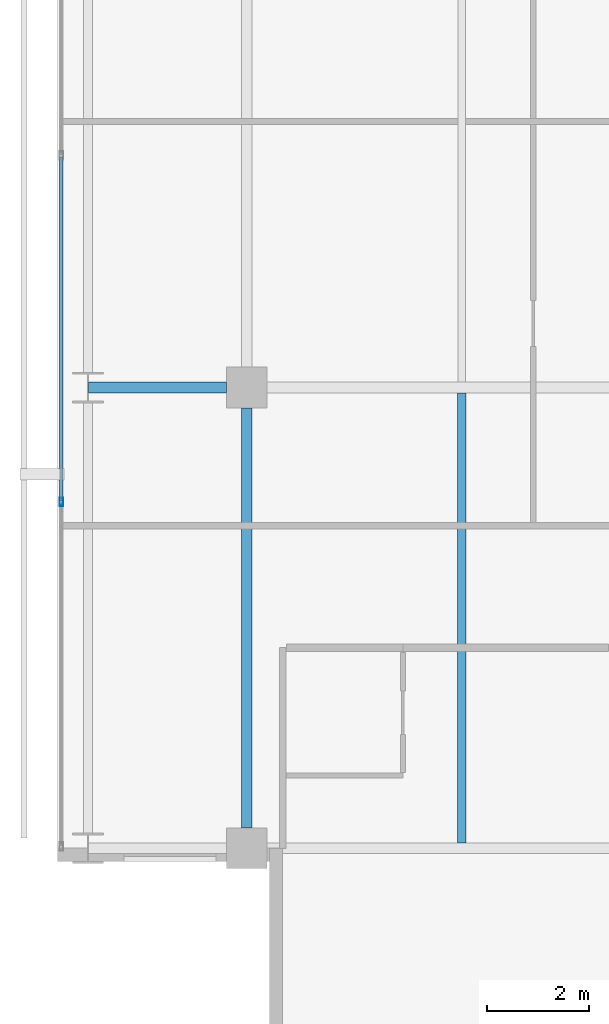
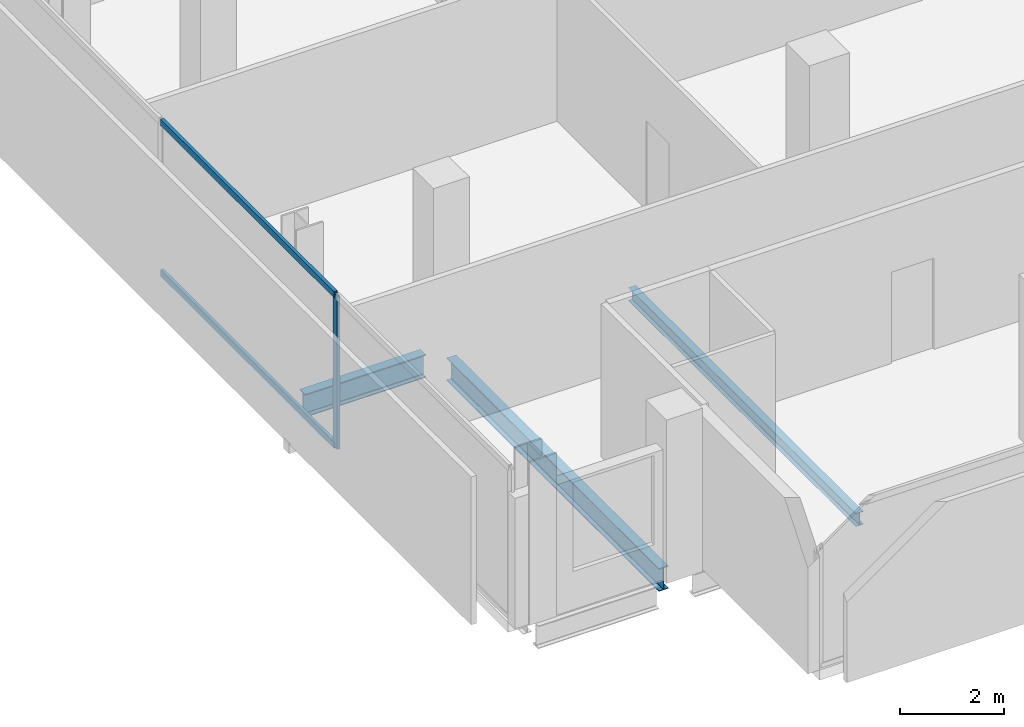
# One storey, part 4 of 32: 3 beams, 3 members, 1 element without a shape of its own.
"""IFC4 building model written with IfcOpenShell, lengths in metres."""

from ifc_helpers import new_model, si_unit, direction, frame, origin, origin_2d, place, context, subcontext, project, spatial, hollow_rectangle, i_section, extrude, material, layer, layer_set, material_profile, profile_set, type_object, element, aggregate, save


model = new_model("IFC4")

# Units and contexts
model_context = context("Model", 3, precision=1e-05, world=origin(), true_north=direction((0.0, 1.0)))
body_context = subcontext(model_context, "Body", "Model", "MODEL_VIEW")
ifc_project = project(units=[si_unit("LENGTHUNIT", "METRE"), si_unit("AREAUNIT", "SQUARE_METRE"), si_unit("VOLUMEUNIT", "CUBIC_METRE"), si_unit("PLANEANGLEUNIT", "RADIAN"), si_unit("MASSUNIT", "GRAM", prefix="KILO")], contexts=[model_context])

# Site, building, storey
site_placement = place(None, origin())
site = spatial("IfcSite", under=ifc_project, at=site_placement, CompositionType="ELEMENT")
building_placement = place(site_placement, origin())
building = spatial("IfcBuilding", under=site, at=building_placement, Name="Maruvema Waterfront Hotel and Observation Tower", CompositionType="ELEMENT")
storey_placement = place(building_placement, frame((0.0, 0.0, 219.800048828125)))
storey = spatial("IfcBuildingStorey", under=building, at=storey_placement, Name="L54", CompositionType="ELEMENT", Elevation=219.800048828125)

# Curtain wall, members
ifc_material_1 = material(Name="Anodised bronze aluminium and solar-control low-E IGU", Category="aluminium")
ifc_layer = layer(ifc_material_1, 0.159912109375, Name="Zone 2 Amber Inner Thermal Curtain Wall System CW-03")
ifc_layer_set = layer_set([ifc_layer], Name="Anodised bronze aluminium and solar-control low-E IGU")
curtain_wall_type = type_object("IfcCurtainWallType", Name="Zone 2 Amber Inner Thermal Curtain Wall System CW-03", PredefinedType="USERDEFINED", material=ifc_layer_set)
curtain_wall_placement = place(storey_placement, origin())
curtain_wall = element("IfcCurtainWall", 1, at=curtain_wall_placement, inside=storey, type_object=curtain_wall_type, Name="L54 Curtain Wall CW-L54-W", ObjectType="UNITISED CURTAIN WALL", PredefinedType="USERDEFINED")
ifc_material_2 = material(Name="Anodised architectural bronze aluminium", Category="aluminium")
ifc_material_profile_1 = material_profile(ifc_material_2, hollow_rectangle(XDim=0.070068359375, YDim=0.14990234375, WallThickness=0.00390625, at=origin_2d()), Name="ALU-T70x150")
ifc_profile_set_1 = profile_set([ifc_material_profile_1], Name="Anodised architectural bronze aluminium")
member_type_1 = type_object("IfcMemberType", Name="Curtain Wall Horizontal Transom ALU-T70x150", PredefinedType="USERDEFINED", material=ifc_profile_set_1)
member_1_placement = place(storey_placement, frame((13.179931640625, 22.50341796875, 0.030029296875), z_axis=(0.0, -1.0, 0.0), x_axis=(1.0, 0.0, 0.0)))
member_1 = element("IfcMember", 2, at=member_1_placement, type_object=member_type_1, Name="CW-03 transom 5.1", ObjectType="TRANSOM", PredefinedType="USERDEFINED", context=body_context, shape_type="SweptSolid", body=[
    extrude(hollow_rectangle(XDim=0.070068359375, YDim=0.14990234375, WallThickness=0.00390625, at=origin_2d()), origin(), (0.0, 0.0, 1.0), 6.706787109375),
])
member_2_placement = place(storey_placement, frame((13.179931640625, 22.50341796875, 3.579833984375), z_axis=(0.0, -1.0, 0.0), x_axis=(1.0, 0.0, 0.0)))
member_2 = element("IfcMember", 3, at=member_2_placement, type_object=member_type_1, Name="CW-03 transom 5.2", ObjectType="TRANSOM", PredefinedType="USERDEFINED", context=body_context, shape_type="SweptSolid", body=[
    extrude(hollow_rectangle(XDim=0.070068359375, YDim=0.14990234375, WallThickness=0.00390625, at=origin_2d()), origin(), (0.0, 0.0, 1.0), 6.706787109375),
])
ifc_material_3 = material(Name="Anodised architectural bronze aluminium", Category="aluminium")
ifc_material_profile_2 = material_profile(ifc_material_3, hollow_rectangle(XDim=0.06494140625, YDim=0.1650390625, WallThickness=0.00390625, at=origin_2d()), Name="ALU-M65x165")
ifc_profile_set_2 = profile_set([ifc_material_profile_2], Name="Anodised architectural bronze aluminium")
member_type_2 = type_object("IfcMemberType", Name="Curtain Wall Primary Mullion ALU-M65x165", PredefinedType="MULLION", material=ifc_profile_set_2)
member_3_placement = place(storey_placement, frame((13.179931640625, 15.7666015625, 0.0), z_axis=(0.0, 0.0, 1.0), x_axis=(1.0, 0.0, 0.0)))
member_3 = element("IfcMember", 4, at=member_3_placement, type_object=member_type_2, Name="CW-03 mullion 6", PredefinedType="MULLION", context=body_context, shape_type="SweptSolid", body=[
    extrude(hollow_rectangle(XDim=0.06494140625, YDim=0.1650390625, WallThickness=0.00390625, at=origin_2d()), origin(), (0.0, 0.0, 1.0), 3.60986328125),
])
aggregate(curtain_wall, [member_3, member_1, member_2])

# Beams
ifc_material_4 = material(Name="Steel ASTM A572 Grade 50", Category="steel")
ifc_material_profile_3 = material_profile(ifc_material_4, i_section(OverallWidth=0.2109375, OverallDepth=0.5390625, WebThickness=0.01171875, FlangeThickness=0.018798828125, FilletRadius=0.014892578125, at=origin_2d()), Name="W530x109.0")
ifc_profile_set_3 = profile_set([ifc_material_profile_3], Name="Steel ASTM A572 Grade 50")
beam_type_1 = type_object("IfcBeamType", Name="Primary Floor Girder W530x109.0", PredefinedType="BEAM", material=ifc_profile_set_3)
beam_1_placement = place(storey_placement, frame((13.71240234375, 18.0, -0.509521484375), z_axis=(1.0, 0.0, 0.0), x_axis=(0.0, 1.0, 0.0)))
element("IfcBeam", 5, at=beam_1_placement, inside=storey, type_object=beam_type_1, Name="L54 Floor Girder EW-11", PredefinedType="BEAM", context=body_context, shape_type="SweptSolid", body=[
    extrude(i_section(OverallWidth=0.2109375, OverallDepth=0.5390625, WebThickness=0.01171875, FlangeThickness=0.018798828125, FilletRadius=0.014892578125, at=origin_2d()), origin(), (0.0, 0.0, 1.0), 2.6875),
])
beam_2_placement = place(storey_placement, frame((16.800048828125, 9.39990234375, -0.509521484375), z_axis=(0.0, 1.0, 0.0), x_axis=(-1.0, 0.0, 0.0)))
element("IfcBeam", 6, at=beam_2_placement, inside=storey, type_object=beam_type_1, Name="L54 Floor Girder NS-05", PredefinedType="BEAM", context=body_context, shape_type="SweptSolid", body=[
    extrude(i_section(OverallWidth=0.2109375, OverallDepth=0.5390625, WebThickness=0.01171875, FlangeThickness=0.018798828125, FilletRadius=0.014892578125, at=origin_2d()), origin(), (0.0, 0.0, 1.0), 8.2001953125),
])
ifc_material_5 = material(Name="Steel ASTM A572 Grade 50", Category="steel")
ifc_material_profile_4 = material_profile(ifc_material_5, i_section(OverallWidth=0.1650390625, OverallDepth=0.31005859375, WebThickness=0.005859375, FlangeThickness=0.009765625, FilletRadius=0.012939453125, at=origin_2d()), Name="W310x38.7")
ifc_profile_set_4 = profile_set([ifc_material_profile_4], Name="Steel ASTM A572 Grade 50")
beam_type_2 = type_object("IfcBeamType", Name="Secondary Floor Joist W310x38.7", PredefinedType="JOIST", material=ifc_profile_set_4)
beam_3_placement = place(storey_placement, frame((21.0, 9.10546875, -0.39501953125), z_axis=(0.0, 1.0, 0.0), x_axis=(-1.0, 0.0, 0.0)))
element("IfcBeam", 7, at=beam_3_placement, inside=storey, type_object=beam_type_2, Name="L54 Secondary Floor Joist JS-01", PredefinedType="JOIST", context=body_context, shape_type="SweptSolid", body=[
    extrude(i_section(OverallWidth=0.1650390625, OverallDepth=0.31005859375, WebThickness=0.005859375, FlangeThickness=0.009765625, FilletRadius=0.012939453125, at=origin_2d()), origin(), (0.0, 0.0, 1.0), 8.7890625),
])

save(model, "model.ifc")
